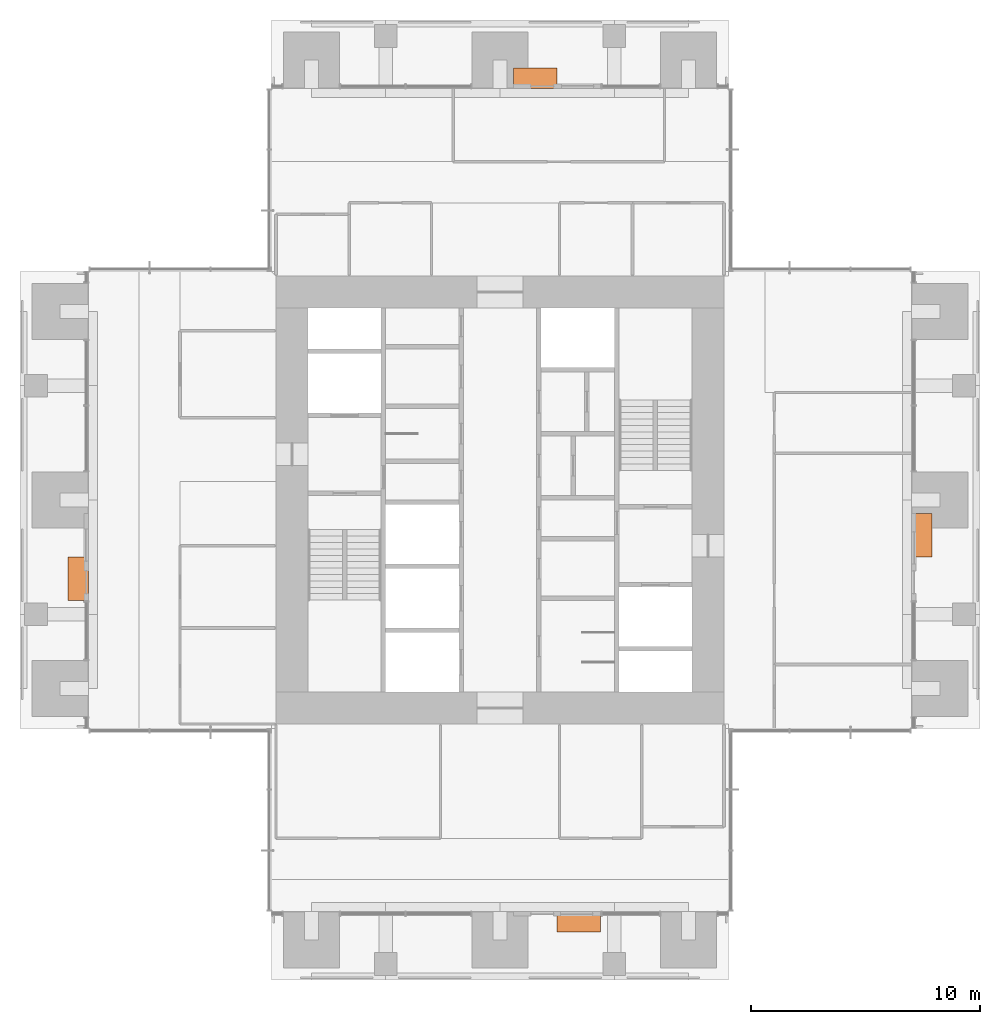
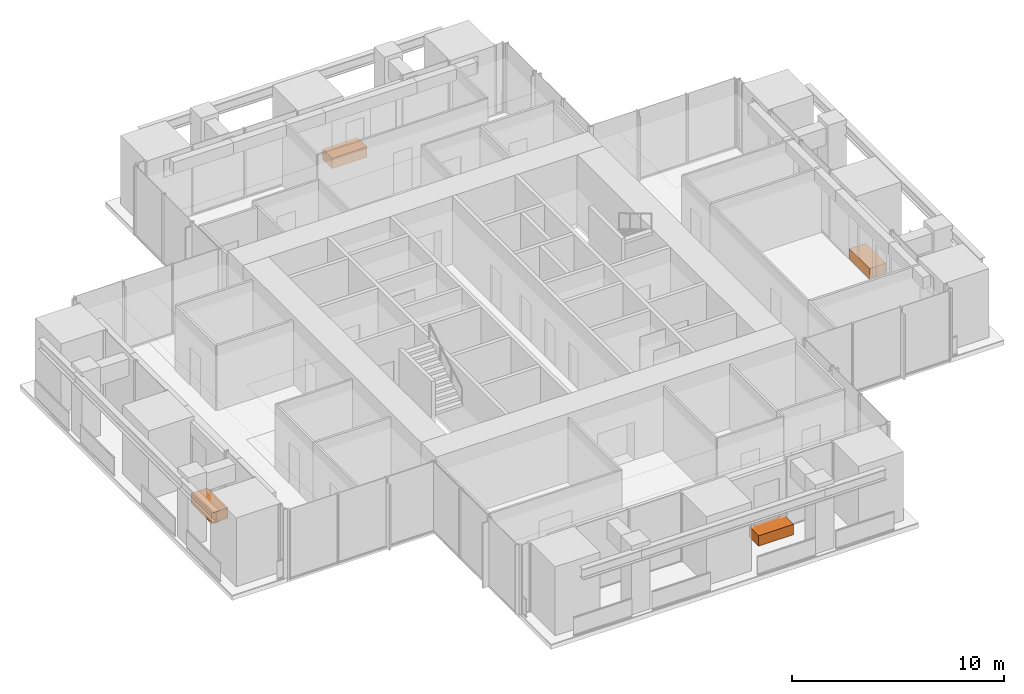
# One storey, part 17 of 17: 4 proxies.
"""IFC4 building model written with IfcOpenShell, lengths in metres."""

import ifcopenshell
import ifcopenshell.guid

model = None  # the IFC model being written
_history = None  # IfcOwnerHistory: only IFC2X3 demands one
_inside = {}  # id of a spatial element -> (the spatial element, [elements in it])
_under = {}  # id of a project, library or spatial element -> (it, [spatial elements below it])
_declared = {}  # id of a project -> (the project, [libraries it declares])
_typed = {}  # id of a type object -> (the type object, [elements of that type])
_made_of = {}  # id of a material, layer set ... -> (it, [elements and type objects made of it])


def new_model(schema):
    """Start an empty IFC model of exactly this schema.

    Asked for "IFC4X3", IfcOpenShell would pick the latest addendum, in which some entities
    have other attributes; the version numbers below select the first issue.
    IFC2X3 requires an IfcOwnerHistory on every rooted entity: one is made here for all.
    """
    global model, _history
    if schema == "IFC4X3":
        model = ifcopenshell.file(schema_version=(4, 3, 0, 0))
    else:
        model = ifcopenshell.file(schema=schema)
    _inside.clear()
    _under.clear()
    _declared.clear()
    _typed.clear()
    _made_of.clear()
    _history = None
    if model.schema == "IFC2X3":
        org = make("IfcOrganization", Name="unknown")
        user = make(
            "IfcPersonAndOrganization",
            ThePerson=make("IfcPerson", FamilyName="unknown"),
            TheOrganization=org,
        )
        app = make(
            "IfcApplication",
            ApplicationDeveloper=org,
            Version="unknown",
            ApplicationFullName="unknown",
            ApplicationIdentifier="unknown",
        )
        _history = make(
            "IfcOwnerHistory",
            OwningUser=user,
            OwningApplication=app,
            ChangeAction="ADDED",
            CreationDate=0,
        )
    return model


def make(cls, **values):
    """One entity of the class cls with the attributes given. An attribute that is None is left unset."""
    return model.create_entity(
        cls, **{name: value for name, value in values.items() if value is not None}
    )


def rooted(cls, **values):
    """An entity with a GlobalId (a new one), such as an element, a storey or a relation."""
    return make(cls, GlobalId=ifcopenshell.guid.new(), OwnerHistory=_history, **values)


def si_unit(unit_type, name, prefix=None):
    """IfcSIUnit, for example si_unit("LENGTHUNIT", "METRE", prefix="MILLI")."""
    return make("IfcSIUnit", UnitType=unit_type, Prefix=prefix, Name=name)


def assignment(units):
    """IfcUnitAssignment: the units of a project."""
    return None if units is None else make("IfcUnitAssignment", Units=units)


def point(xyz):
    """IfcCartesianPoint."""
    return None if xyz is None else make("IfcCartesianPoint", Coordinates=xyz)


def direction(xyz):
    """IfcDirection."""
    return None if xyz is None else make("IfcDirection", DirectionRatios=xyz)


def frame(location, z_axis=None, x_axis=None):
    """IfcAxis2Placement3D, a coordinate frame: its origin and axes. An axis left out is left unset."""
    return make(
        "IfcAxis2Placement3D",
        Location=point(location),
        Axis=direction(z_axis),
        RefDirection=direction(x_axis),
    )


def frame_2d(location, x_axis=None):
    """IfcAxis2Placement2D, a coordinate frame in the plane: its origin and x axis."""
    return make(
        "IfcAxis2Placement2D", Location=point(location), RefDirection=direction(x_axis)
    )


def origin():
    """The frame at (0, 0, 0) with its axes left unset."""
    return frame((0.0, 0.0, 0.0))


def origin_2d():
    """The frame at (0, 0) in the plane with its x axis left unset."""
    return frame_2d((0.0, 0.0))


def place(relative_to, where):
    """IfcLocalPlacement: puts the frame where relative to a parent placement (None: the world)."""
    return make(
        "IfcLocalPlacement", PlacementRelTo=relative_to, RelativePlacement=where
    )


def context(
    kind, dimensions, precision=None, world=None, true_north=None, identifier=None
):
    """IfcGeometricRepresentationContext, for example the 3D "Model" context."""
    return make(
        "IfcGeometricRepresentationContext",
        ContextIdentifier=identifier,
        ContextType=kind,
        CoordinateSpaceDimension=dimensions,
        Precision=precision,
        WorldCoordinateSystem=world,
        TrueNorth=true_north,
    )


def subcontext(parent, identifier, kind, view, scale=None):
    """IfcGeometricRepresentationSubContext, for example "Body" below "Model"."""
    return make(
        "IfcGeometricRepresentationSubContext",
        ContextIdentifier=identifier,
        ContextType=kind,
        ParentContext=parent,
        TargetScale=scale,
        TargetView=view,
    )


def project(units=None, contexts=None):
    """IfcProject with its units and contexts."""
    return rooted(
        "IfcProject",
        Name="project",
        RepresentationContexts=contexts,
        UnitsInContext=assignment(units),
    )


def spatial(cls, under=None, at=None, **own):
    """A site, building, storey or space (cls), placed at a placement, below another one or the project."""
    s = rooted(cls, ObjectPlacement=at, **own)
    if under is not None:
        _under.setdefault(under.id(), (under, []))[1].append(s)
    return s


def profile(cls, at=None, kind="AREA", **sizes):
    """A parametric profile (cls). Its sizes go by their IFC names, for example OverallWidth=200.0."""
    return make(cls, ProfileType=kind, Position=at, **sizes)


def rectangle(**sizes):
    """IfcRectangleProfileDef."""
    return profile("IfcRectangleProfileDef", **sizes)


def extrude(swept, where, along, depth):
    """IfcExtrudedAreaSolid: the profile swept, set in the frame where, extruded along a direction by depth."""
    return make(
        "IfcExtrudedAreaSolid",
        SweptArea=swept,
        Position=where,
        ExtrudedDirection=direction(along),
        Depth=depth,
    )


def shape(context_of_items, identifier, shape_type, items):
    """IfcShapeRepresentation: the items that make up one representation, for example the "Body"."""
    return make(
        "IfcShapeRepresentation",
        ContextOfItems=context_of_items,
        RepresentationIdentifier=identifier,
        RepresentationType=shape_type,
        Items=items,
    )


def made_of(thing, what):
    """Note that an element or type object is made of a material, layer set ...; save() writes the relation."""
    if what is not None:
        _made_of.setdefault(what.id(), (what, []))[1].append(thing)
    return thing


def element(
    cls,
    number,
    at=None,
    inside=None,
    cuts=None,
    type_object=None,
    material=None,
    context=None,
    identifier="Body",
    shape_type=None,
    held_by="IfcProductDefinitionShape",
    body=None,
    shapes=None,
    **own,
):
    """One element of the class cls, such as IfcWall. Its Tag is "e" and its number.

    at: its placement. inside: the storey or other place that contains it. cuts: it is an
    opening in that element (IfcRelVoidsElement). A single representation is given by context,
    identifier, shape_type and body (its items); several are given by shapes. held_by: the class
    of the entity that holds the representations. save() writes the other relations.
    """
    e = rooted(cls, Tag="e%d" % number, ObjectPlacement=at, **own)
    if body is not None:
        shapes = [shape(context, identifier, shape_type, body)]
    if shapes is not None:
        e.Representation = make(held_by, Representations=shapes)
    if inside is not None:
        _inside.setdefault(inside.id(), (inside, []))[1].append(e)
    if cuts is not None:
        rooted(
            "IfcRelVoidsElement", RelatingBuildingElement=cuts, RelatedOpeningElement=e
        )
    if type_object is not None:
        _typed.setdefault(type_object.id(), (type_object, []))[1].append(e)
    return made_of(e, material)


def aggregate(whole, parts):
    """IfcRelAggregates: a whole, such as a stair, and the parts it consists of."""
    return rooted("IfcRelAggregates", RelatingObject=whole, RelatedObjects=parts)


def save(model, path):
    """Write the relations noted so far, then the file.

    IfcRelAggregates (storeys below a building ...), IfcRelContainedInSpatialStructure (elements
    in a storey), IfcRelDefinesByType, IfcRelAssociatesMaterial and IfcRelDeclares: one each for
    every whole, place, type object, material and project.
    """
    for whole, parts in _under.values():
        aggregate(whole, parts)
    for where, things in _inside.values():
        rooted(
            "IfcRelContainedInSpatialStructure",
            RelatedElements=things,
            RelatingStructure=where,
        )
    for kind, things in _typed.values():
        rooted("IfcRelDefinesByType", RelatedObjects=things, RelatingType=kind)
    for what, things in _made_of.values():
        rooted("IfcRelAssociatesMaterial", RelatedObjects=things, RelatingMaterial=what)
    for by, libraries in _declared.values():
        rooted("IfcRelDeclares", RelatingContext=by, RelatedDefinitions=libraries)
    model.write(path)


model = new_model("IFC4")

# Units and contexts
model_context = context("Model", 3, precision=1e-05, world=origin(), true_north=direction((0.0, 1.0)))
body_context = subcontext(model_context, "Body", "Model", "MODEL_VIEW")
ifc_project = project(units=[si_unit("LENGTHUNIT", "METRE"), si_unit("AREAUNIT", "SQUARE_METRE"), si_unit("VOLUMEUNIT", "CUBIC_METRE"), si_unit("PLANEANGLEUNIT", "RADIAN"), si_unit("MASSUNIT", "GRAM", prefix="KILO")], contexts=[model_context])

# Site, building, storey
site_placement = place(None, origin())
site = spatial("IfcSite", under=ifc_project, at=site_placement, CompositionType="ELEMENT")
building_placement = place(site_placement, origin())
building = spatial("IfcBuilding", under=site, at=building_placement, Name="Svetlomir Tower", CompositionType="ELEMENT")
storey_placement = place(building_placement, frame((0.0, 0.0, 178.5)))
storey = spatial("IfcBuildingStorey", under=building, at=storey_placement, Name="L42", CompositionType="ELEMENT", Elevation=178.5)

# Proxies
proxy_1_placement = place(storey_placement, frame((24.449951171875, 2.550048828125, 0.0400390625), z_axis=(0.0, 0.0, 1.0), x_axis=(1.0, 0.0, 0.0)))
element("IfcBuildingElementProxy", 1, at=proxy_1_placement, inside=storey, Name="Tree planter S L42", ObjectType="PLANTER", PredefinedType="USERDEFINED", context=body_context, shape_type="SweptSolid", body=[
    extrude(rectangle(XDim=1.89990234375, YDim=0.89990234375, at=origin_2d()), origin(), (0.0, 0.0, 1.0), 0.60009765625),
])
proxy_2_placement = place(storey_placement, frame((39.449951171875, 19.449951171875, 0.0400390625), z_axis=(0.0, 0.0, 1.0), x_axis=(1.0, 0.0, 0.0)))
element("IfcBuildingElementProxy", 2, at=proxy_2_placement, inside=storey, Name="Tree planter E L42", ObjectType="PLANTER", PredefinedType="USERDEFINED", context=body_context, shape_type="SweptSolid", body=[
    extrude(rectangle(XDim=0.89990234375, YDim=1.89990234375, at=origin_2d()), origin(), (0.0, 0.0, 1.0), 0.60009765625),
])
proxy_3_placement = place(storey_placement, frame((22.550048828125, 39.449951171875, 0.0400390625), z_axis=(0.0, 0.0, 1.0), x_axis=(1.0, 0.0, 0.0)))
element("IfcBuildingElementProxy", 3, at=proxy_3_placement, inside=storey, Name="Tree planter N L42", ObjectType="PLANTER", PredefinedType="USERDEFINED", context=body_context, shape_type="SweptSolid", body=[
    extrude(rectangle(XDim=1.89990234375, YDim=0.89990234375, at=origin_2d()), origin(), (0.0, 0.0, 1.0), 0.60009765625),
])
proxy_4_placement = place(storey_placement, frame((2.550048828125, 17.550048828125, 0.0400390625), z_axis=(0.0, 0.0, 1.0), x_axis=(1.0, 0.0, 0.0)))
element("IfcBuildingElementProxy", 4, at=proxy_4_placement, inside=storey, Name="Tree planter W L42", ObjectType="PLANTER", PredefinedType="USERDEFINED", context=body_context, shape_type="SweptSolid", body=[
    extrude(rectangle(XDim=0.89990234375, YDim=1.89990234375, at=origin_2d()), origin(), (0.0, 0.0, 1.0), 0.60009765625),
])

save(model, "model.ifc")
